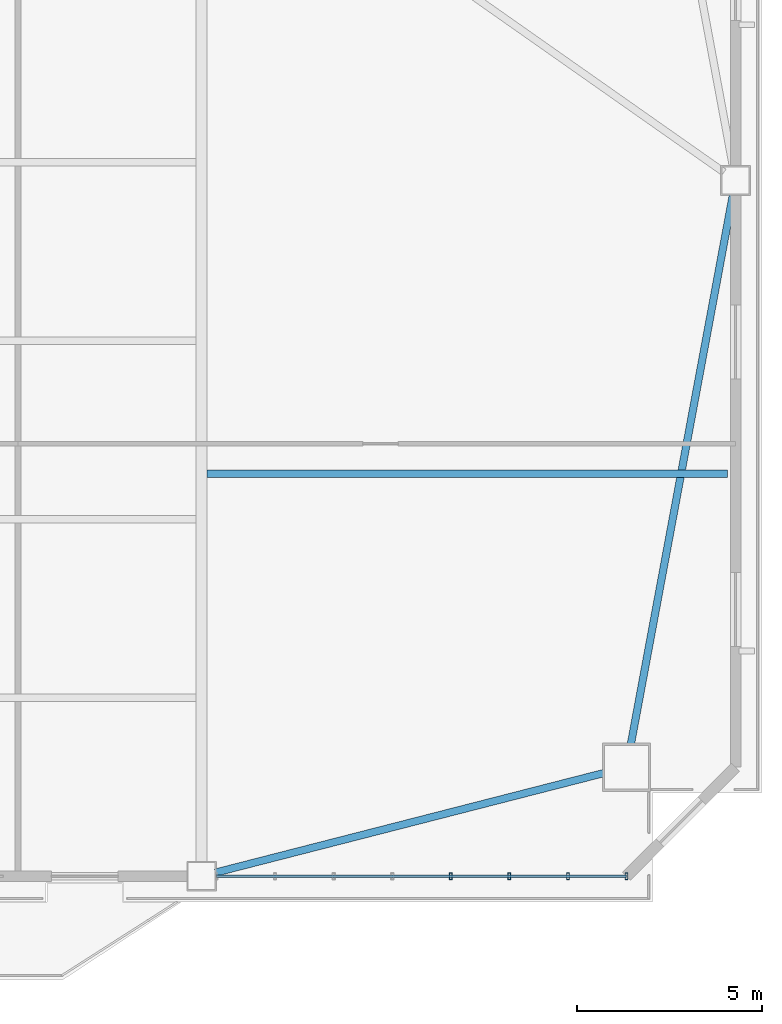
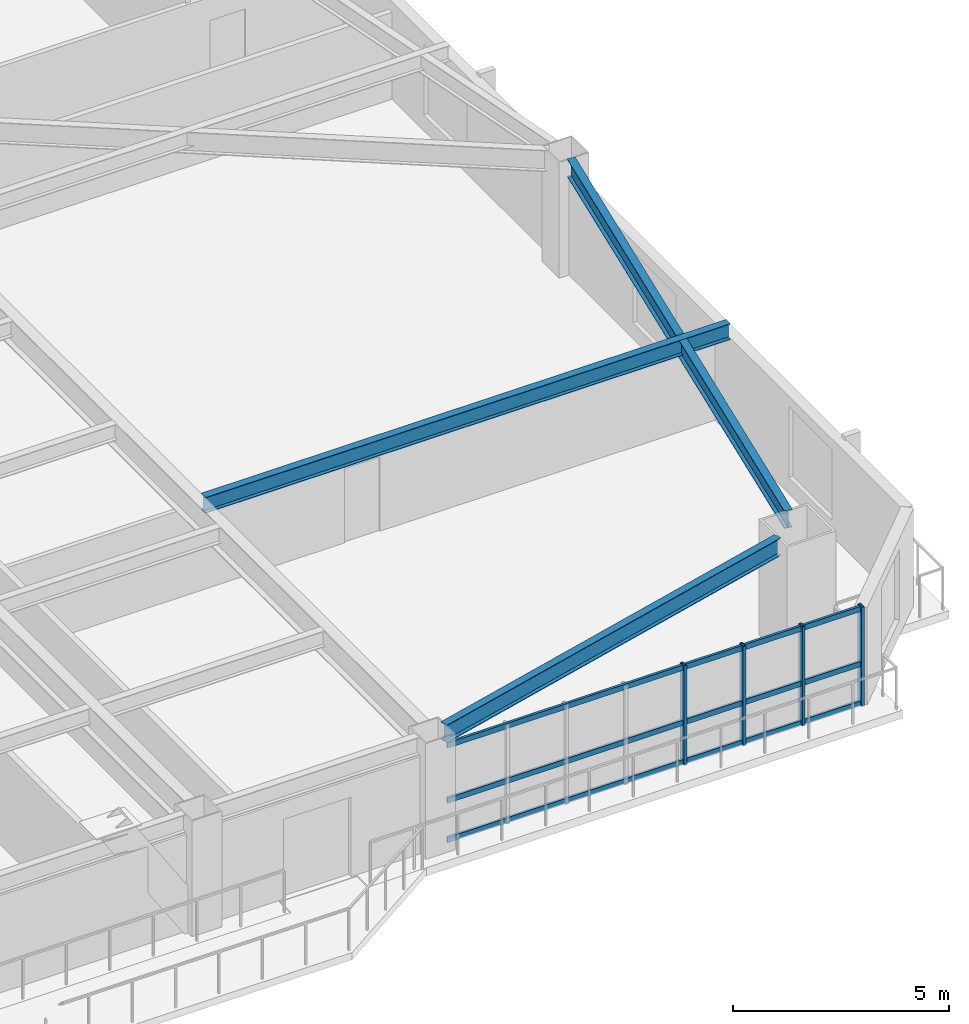
# One storey, part 5 of 15: 7 members, 3 beams, 1 element without a shape of its own.
"""IFC4 building model written with IfcOpenShell, lengths in metres."""

from ifc_helpers import new_model, si_unit, direction, frame, origin, origin_2d, place, context, subcontext, project, spatial, hollow_rectangle, i_section, extrude, source, transform, mapped, material, layer, layer_set, material_profile, profile_set, type_object, element, aggregate, save


model = new_model("IFC4")

# Units and contexts
model_context = context("Model", 3, precision=1e-05, world=origin(), true_north=direction((0.0, 1.0)))
body_context = subcontext(model_context, "Body", "Model", "MODEL_VIEW")
ifc_project = project(units=[si_unit("LENGTHUNIT", "METRE"), si_unit("AREAUNIT", "SQUARE_METRE"), si_unit("VOLUMEUNIT", "CUBIC_METRE"), si_unit("PLANEANGLEUNIT", "RADIAN"), si_unit("MASSUNIT", "GRAM", prefix="KILO")], contexts=[model_context])

# Site, building, storey
site_placement = place(None, origin())
site = spatial("IfcSite", under=ifc_project, at=site_placement, CompositionType="ELEMENT")
building_placement = place(site_placement, origin())
building = spatial("IfcBuilding", under=site, at=building_placement, Name="Giltprow Tower", CompositionType="ELEMENT")
storey_placement = place(building_placement, frame((0.0, 0.0, 149.199951171875)))
storey = spatial("IfcBuildingStorey", under=building, at=storey_placement, Name="L36", CompositionType="ELEMENT", Elevation=149.199951171875)

# Beams
ifc_material_1 = material(Name="Structural steel Q355B", Category="steel")
ifc_material_profile_1 = material_profile(ifc_material_1, i_section(OverallWidth=0.199951171875, OverallDepth=0.5, WebThickness=0.010009765625, FlangeThickness=0.01611328125, at=origin_2d()), Name="HN 500x200x10x16")
ifc_profile_set_1 = profile_set([ifc_material_profile_1], Name="Structural steel Q355B")
beam_type_1 = type_object("IfcBeamType", Name="BM-SPAN-HN500", PredefinedType="SPANDREL", material=ifc_profile_set_1)
shared_shape_1 = source(origin(), body_context, "Body", "SweptSolid", [
    extrude(i_section(OverallWidth=0.199951171875, OverallDepth=0.5, WebThickness=0.010009765625, FlangeThickness=0.01611328125, at=origin_2d()), origin(), (0.0, 0.0, 1.0), 10.8125),
])
beam_1_placement = place(storey_placement, frame((50.923095703125, 8.66796875, 3.02001953125), z_axis=(0.968676122617, 0.248327544732, 0.0), x_axis=(-0.248327544732, 0.968676122617, 0.0)))
element("IfcBeam", 1, at=beam_1_placement, inside=storey, type_object=beam_type_1, Name="L36 Perimeter Spandrel Beam S4-MC_SE", PredefinedType="SPANDREL", context=body_context, shape_type="MappedRepresentation", body=[
    mapped(shared_shape_1, transform((0.0, 0.0, 0.0), x_axis=(1.0, 0.0, 0.0), y_axis=(0.0, 1.0, 0.0), z_axis=(0.0, 0.0, 1.0), scale=1.0)),
])
shared_shape_2 = source(origin(), body_context, "Body", "SweptSolid", [
    extrude(i_section(OverallWidth=0.199951171875, OverallDepth=0.5, WebThickness=0.010009765625, FlangeThickness=0.01611328125, at=origin_2d()), origin(), (0.0, 0.0, 1.0), 15.075439453125),
])
beam_2_placement = place(storey_placement, frame((62.1279296875, 12.135009765625, 3.02001953125), z_axis=(0.182625068297, 0.983182630252, 0.0), x_axis=(-0.983182630252, 0.182625068297, 0.0)))
element("IfcBeam", 2, at=beam_2_placement, inside=storey, type_object=beam_type_1, Name="L36 Perimeter Spandrel Beam MC_SE-E_MID", PredefinedType="SPANDREL", context=body_context, shape_type="MappedRepresentation", body=[
    mapped(shared_shape_2, transform((0.0, 0.0, 0.0), x_axis=(1.0, 0.0, 0.0), y_axis=(0.0, 1.0, 0.0), z_axis=(0.0, 0.0, 1.0), scale=1.0)),
])
ifc_material_profile_2 = material_profile(ifc_material_1, i_section(OverallWidth=0.199951171875, OverallDepth=0.449951171875, WebThickness=0.009033203125, FlangeThickness=0.013916015625, at=origin_2d()), Name="HN 450x200x9x14")
ifc_profile_set_2 = profile_set([ifc_material_profile_2], Name="Structural steel Q355B")
beam_type_2 = type_object("IfcBeamType", Name="BM-JOIST-HN450", PredefinedType="JOIST", material=ifc_profile_set_2)
shared_shape_3 = source(origin(), body_context, "Body", "SweptSolid", [
    extrude(i_section(OverallWidth=0.199951171875, OverallDepth=0.449951171875, WebThickness=0.009033203125, FlangeThickness=0.013916015625, at=origin_2d()), origin(), (0.0, 0.0, 1.0), 14.035888671875),
])
beam_3_placement = place(storey_placement, frame((50.695068359375, 19.423095703125, 3.045166015625), z_axis=(1.0, 0.0, 0.0), x_axis=(0.0, 1.0, 0.0)))
element("IfcBeam", 3, at=beam_3_placement, inside=storey, type_object=beam_type_2, Name="L36 East Wing Floor Joist 1", PredefinedType="JOIST", context=body_context, shape_type="MappedRepresentation", body=[
    mapped(shared_shape_3, transform((0.0, 0.0, 0.0), x_axis=(1.0, 0.0, 0.0), y_axis=(0.0, 1.0, 0.0), z_axis=(0.0, 0.0, 1.0), scale=1.0)),
])

# Curtain wall, members
ifc_material_2 = material(Name="Anodized bronze", Category="metal")
ifc_layer = layer(ifc_material_2, 0.179931640625, Name="Anodized bronze")
ifc_layer_set = layer_set([ifc_layer], Name="Anodized bronze")
curtain_wall_type = type_object("IfcCurtainWallType", Name="CW-HTL-BRONZE", PredefinedType="NOTDEFINED", material=ifc_layer_set)
curtain_wall_placement = place(storey_placement, origin())
curtain_wall = element("IfcCurtainWall", 4, at=curtain_wall_placement, inside=storey, type_object=curtain_wall_type, Name="L36 South Recessed Curtain Wall 6", PredefinedType="NOTDEFINED")
ifc_material_profile_3 = material_profile(ifc_material_2, hollow_rectangle(XDim=0.074951171875, YDim=0.179931640625, WallThickness=0.008056640625, at=origin_2d()), Name="RHS 180x75x8")
ifc_profile_set_3 = profile_set([ifc_material_profile_3], Name="Anodized bronze")
member_type_1 = type_object("IfcMemberType", Name="CW-MULLION-180x75", PredefinedType="MULLION", material=ifc_profile_set_3)
shared_shape_4 = source(origin(), body_context, "Body", "SweptSolid", [
    extrude(hollow_rectangle(XDim=0.074951171875, YDim=0.179931640625, WallThickness=0.008056640625, at=origin_2d()), origin(), (0.0, 0.0, 1.0), 2.80517578125),
])
member_1_placement = place(storey_placement, frame((57.27099609375, 8.572021484375, -0.02001953125), z_axis=(0.0, 0.0, 1.0), x_axis=(1.0, 0.0, 0.0)))
member_1 = element("IfcMember", 5, at=member_1_placement, type_object=member_type_1, Name="L36 South Recessed Curtain Wall 6 Mullion 5", PredefinedType="MULLION", context=body_context, shape_type="MappedRepresentation", body=[
    mapped(shared_shape_4, transform((0.0, 0.0, 0.0), x_axis=(1.0, 0.0, 0.0), y_axis=(0.0, 1.0, 0.0), z_axis=(0.0, 0.0, 1.0), scale=1.0)),
])
member_2_placement = place(storey_placement, frame((58.85107421875, 8.572021484375, -0.02001953125), z_axis=(0.0, 0.0, 1.0), x_axis=(1.0, 0.0, 0.0)))
member_2 = element("IfcMember", 6, at=member_2_placement, type_object=member_type_1, Name="L36 South Recessed Curtain Wall 6 Mullion 6", PredefinedType="MULLION", context=body_context, shape_type="MappedRepresentation", body=[
    mapped(shared_shape_4, transform((0.0, 0.0, 0.0), x_axis=(1.0, 0.0, 0.0), y_axis=(0.0, 1.0, 0.0), z_axis=(0.0, 0.0, 1.0), scale=1.0)),
])
member_3_placement = place(storey_placement, frame((60.431884765625, 8.572021484375, -0.02001953125), z_axis=(0.0, 0.0, 1.0), x_axis=(1.0, 0.0, 0.0)))
member_3 = element("IfcMember", 7, at=member_3_placement, type_object=member_type_1, Name="L36 South Recessed Curtain Wall 6 Mullion 7", PredefinedType="MULLION", context=body_context, shape_type="MappedRepresentation", body=[
    mapped(shared_shape_4, transform((0.0, 0.0, 0.0), x_axis=(1.0, 0.0, 0.0), y_axis=(0.0, 1.0, 0.0), z_axis=(0.0, 0.0, 1.0), scale=1.0)),
])
member_4_placement = place(storey_placement, frame((62.011962890625, 8.572021484375, -0.02001953125), z_axis=(0.0, 0.0, 1.0), x_axis=(1.0, 0.0, 0.0)))
member_4 = element("IfcMember", 8, at=member_4_placement, type_object=member_type_1, Name="L36 South Recessed Curtain Wall 6 Mullion 8", PredefinedType="MULLION", context=body_context, shape_type="MappedRepresentation", body=[
    mapped(shared_shape_4, transform((0.0, 0.0, 0.0), x_axis=(1.0, 0.0, 0.0), y_axis=(0.0, 1.0, 0.0), z_axis=(0.0, 0.0, 1.0), scale=1.0)),
])
ifc_material_profile_4 = material_profile(ifc_material_2, hollow_rectangle(XDim=0.06494140625, YDim=0.14990234375, WallThickness=0.006103515625, at=origin_2d()), Name="RHS 150x65x6")
ifc_profile_set_4 = profile_set([ifc_material_profile_4], Name="Anodized bronze")
member_type_2 = type_object("IfcMemberType", Name="CW-TRANSOM-150x65", PredefinedType="USERDEFINED", material=ifc_profile_set_4)
shared_shape_5 = source(origin(), body_context, "Body", "SweptSolid", [
    extrude(hollow_rectangle(XDim=0.06494140625, YDim=0.14990234375, WallThickness=0.006103515625, at=origin_2d()), origin(), (0.0, 0.0, 1.0), 11.06201171875),
])
member_5_placement = place(storey_placement, frame((50.949951171875, 8.572021484375, 0.0400390625), z_axis=(1.0, 0.0, 0.0), x_axis=(0.0, 1.0, 0.0)))
member_5 = element("IfcMember", 9, at=member_5_placement, type_object=member_type_2, Name="L36 South Recessed Curtain Wall 6 Transom 1", ObjectType="TRANSOM", PredefinedType="USERDEFINED", context=body_context, shape_type="MappedRepresentation", body=[
    mapped(shared_shape_5, transform((0.0, 0.0, 0.0), x_axis=(1.0, 0.0, 0.0), y_axis=(0.0, 1.0, 0.0), z_axis=(0.0, 0.0, 1.0), scale=1.0)),
])
member_6_placement = place(storey_placement, frame((50.949951171875, 8.572021484375, 1.155029296875), z_axis=(1.0, 0.0, 0.0), x_axis=(0.0, 1.0, 0.0)))
member_6 = element("IfcMember", 10, at=member_6_placement, type_object=member_type_2, Name="L36 South Recessed Curtain Wall 6 Transom 2", ObjectType="TRANSOM", PredefinedType="USERDEFINED", context=body_context, shape_type="MappedRepresentation", body=[
    mapped(shared_shape_5, transform((0.0, 0.0, 0.0), x_axis=(1.0, 0.0, 0.0), y_axis=(0.0, 1.0, 0.0), z_axis=(0.0, 0.0, 1.0), scale=1.0)),
])
member_7_placement = place(storey_placement, frame((50.949951171875, 8.572021484375, 2.7099609375), z_axis=(1.0, 0.0, 0.0), x_axis=(0.0, 1.0, 0.0)))
member_7 = element("IfcMember", 11, at=member_7_placement, type_object=member_type_2, Name="L36 South Recessed Curtain Wall 6 Transom 3", ObjectType="TRANSOM", PredefinedType="USERDEFINED", context=body_context, shape_type="MappedRepresentation", body=[
    mapped(shared_shape_5, transform((0.0, 0.0, 0.0), x_axis=(1.0, 0.0, 0.0), y_axis=(0.0, 1.0, 0.0), z_axis=(0.0, 0.0, 1.0), scale=1.0)),
])
aggregate(curtain_wall, [member_1, member_2, member_3, member_4, member_5, member_6, member_7])

save(model, "model.ifc")
